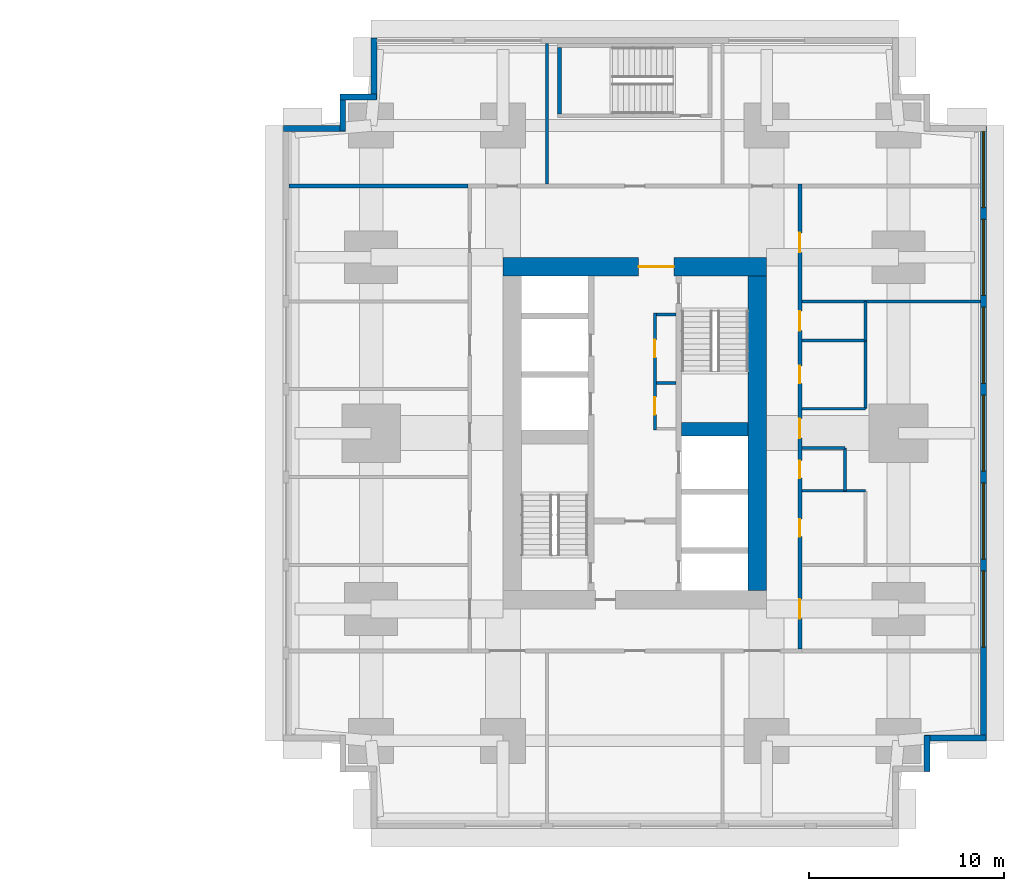
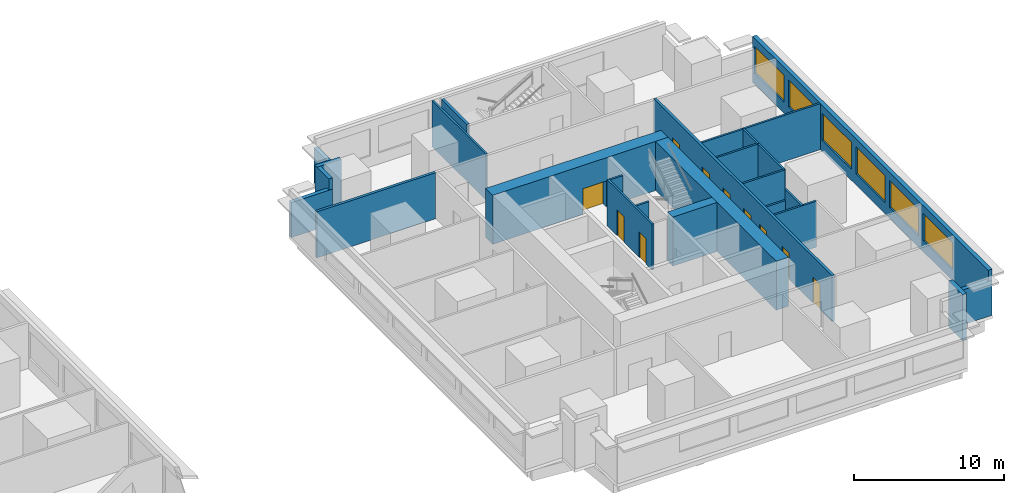
# One storey, part 7 of 11: 25 walls, 10 doors, 6 windows, 16 openings.
"""IFC4 building model written with IfcOpenShell, lengths in metres."""

from ifc_helpers import new_model, si_unit, direction, frame, frame_2d, origin, place, context, subcontext, project, spatial, rectangle, extrude, material, layer, layer_set, type_object, element, fill, save


model = new_model("IFC4")

# Units and contexts
model_context = context("Model", 3, precision=1e-05, world=origin(), true_north=direction((0.0, 1.0)))
body_context = subcontext(model_context, "Body", "Model", "MODEL_VIEW")
ifc_project = project(units=[si_unit("LENGTHUNIT", "METRE"), si_unit("AREAUNIT", "SQUARE_METRE"), si_unit("VOLUMEUNIT", "CUBIC_METRE"), si_unit("PLANEANGLEUNIT", "RADIAN"), si_unit("MASSUNIT", "GRAM", prefix="KILO")], contexts=[model_context])

# Site, building, storey
site_placement = place(None, origin())
site = spatial("IfcSite", under=ifc_project, at=site_placement, CompositionType="ELEMENT")
building_placement = place(site_placement, origin())
building = spatial("IfcBuilding", under=site, at=building_placement, Name="Namib Vertical Campus", CompositionType="ELEMENT")
storey_placement = place(building_placement, frame((0.0, 0.0, 29.0)))
storey = spatial("IfcBuildingStorey", under=building, at=storey_placement, Name="L06", CompositionType="ELEMENT", Elevation=29.0)

# Walls
ifc_material_1 = material(Name="Concrete C60/75", Category="concrete")
ifc_layer_1 = layer(ifc_material_1, 0.699951171875)
ifc_layer_set_1 = layer_set([ifc_layer_1], Name="Concrete C60/75")
wall_type_1 = type_object("IfcWallType", Name="Core shear wall 700", PredefinedType="SHEAR", material=ifc_layer_set_1)
wall_1_placement = place(storey_placement, frame((83.39990234375, 20.449951171875, 0.0), z_axis=(0.0, 0.0, 1.0), x_axis=(1.0, 0.0, 0.0)))
element("IfcWall", 1, at=wall_1_placement, inside=storey, type_object=wall_type_1, Name="Core shear wall B L06 W7", PredefinedType="SHEAR", context=body_context, shape_type="SweptSolid", body=[
    extrude(rectangle(XDim=3.400146484375, YDim=0.699951171875, at=frame_2d((1.7001953125, 0.0))), origin(), (0.0, 0.0, 1.0), 4.0),
])
ifc_material_2 = material(Name="Concrete C60/75", Category="concrete")
ifc_layer_2 = layer(ifc_material_2, 0.949951171875)
ifc_layer_set_2 = layer_set([ifc_layer_2], Name="Concrete C60/75")
wall_type_2 = type_object("IfcWallType", Name="Core wall 950", PredefinedType="SHEAR", material=ifc_layer_set_2)
wall_2_placement = place(storey_placement, frame((87.27490234375, 12.199951171875, 0.0), z_axis=(0.0, 0.0, 1.0), x_axis=(0.0, 1.0, 0.0)))
element("IfcWall", 2, at=wall_2_placement, inside=storey, type_object=wall_type_2, Name="Core wall B L06 2", PredefinedType="SHEAR", context=body_context, shape_type="SweptSolid", body=[
    extrude(rectangle(XDim=16.10009765625, YDim=0.949951171875, at=frame_2d((8.050048828125, 0.0))), origin(), (0.0, 0.0, 1.0), 4.0),
])

# Wall, opening, door
wall_3_placement = place(storey_placement, frame((87.75, 28.77490234375, 0.0), z_axis=(0.0, 0.0, 1.0), x_axis=(-1.0, 0.0, 0.0)))
wall_3 = element("IfcWall", 3, at=wall_3_placement, inside=storey, type_object=wall_type_2, Name="Core wall B L06 3", PredefinedType="SHEAR", context=body_context, shape_type="SweptSolid", body=[
    extrude(rectangle(XDim=13.5, YDim=0.949951171875, at=frame_2d((6.75, 0.0))), origin(), (0.0, 0.0, 1.0), 4.0),
])
opening_1_placement = place(wall_3_placement, frame((4.75, 0.0, 0.0)))
opening_1 = element("IfcOpeningElement", 4, at=opening_1_placement, cuts=wall_3, Name="Opening FD2", PredefinedType="OPENING", context=body_context, shape_type="SweptSolid", body=[
    extrude(rectangle(XDim=1.800048828125, YDim=2.10009765625, at=frame_2d((0.89990234375, 1.050048828125))), frame((0.0, 0.48486328125, 0.0), z_axis=(0.0, -1.0, 0.0), x_axis=(1.0, 0.0, 0.0)), (0.0, 0.0, 1.0), 0.969970703125),
])
ifc_material_3 = material(Name="Steel fire door", Category="steel")
door_type_1 = type_object("IfcDoorType", Name="Fire door double 1800x2100", OperationType="DOUBLE_DOOR_SINGLE_SWING", PredefinedType="DOOR", material=ifc_material_3)
door_1_placement = place(opening_1_placement, origin())
door_1 = element("IfcDoor", 5, at=door_1_placement, inside=storey, type_object=door_type_1, Name="Lift lobby door FD2 B L06", OperationType="DOUBLE_DOOR_SINGLE_SWING", OverallHeight=2.10009765625, OverallWidth=1.800048828125, PredefinedType="DOOR", context=body_context, shape_type="SweptSolid", body=[
    extrude(rectangle(XDim=1.800048828125, YDim=2.10009765625, at=frame_2d((0.89990234375, 1.050048828125))), frame((0.0, 0.02490234375, 0.0), z_axis=(0.0, -1.0, 0.0), x_axis=(1.0, 0.0, 0.0)), (0.0, 0.0, 1.0), 0.050048828125),
])
fill(opening_1, door_1)

# Wall, openings, doors
ifc_material_4 = material(Name="Concrete masonry", Category="masonry")
ifc_layer_3 = layer(ifc_material_4, 0.199951171875)
ifc_layer_set_3 = layer_set([ifc_layer_3], Name="Corridor wall 200")
wall_type_3 = type_object("IfcWallType", Name="Corridor wall 200", PredefinedType="SOLIDWALL", material=ifc_layer_set_3)
wall_4_placement = place(storey_placement, frame((89.449951171875, 9.199951171875, 0.0), z_axis=(0.0, 0.0, 1.0), x_axis=(0.0, 1.0, 0.0)))
wall_4 = element("IfcWall", 6, at=wall_4_placement, inside=storey, type_object=wall_type_3, Name="Corridor wall B L06 CE", PredefinedType="SOLIDWALL", context=body_context, shape_type="SweptSolid", body=[
    extrude(rectangle(XDim=23.800048828125, YDim=0.199951171875, at=frame_2d((11.89990234375, 0.0))), origin(), (0.0, 0.0, 1.0), 3.75),
])
opening_2_placement = place(wall_4_placement, frame((1.550048828125, 0.0, 0.0)))
opening_2 = element("IfcOpeningElement", 7, at=opening_2_placement, cuts=wall_4, Name="Opening CD1", PredefinedType="OPENING", context=body_context, shape_type="SweptSolid", body=[
    extrude(rectangle(XDim=1.0, YDim=2.10009765625, at=frame_2d((0.5, 1.050048828125))), frame((0.0, 0.10986328125, 0.0), z_axis=(0.0, -1.0, 0.0), x_axis=(1.0, 0.0, 0.0)), (0.0, 0.0, 1.0), 0.219970703125),
])
opening_3_placement = place(wall_4_placement, frame((5.75, 0.0, 0.0)))
opening_3 = element("IfcOpeningElement", 8, at=opening_3_placement, cuts=wall_4, Name="Opening CD3", PredefinedType="OPENING", context=body_context, shape_type="SweptSolid", body=[
    extrude(rectangle(XDim=0.89990234375, YDim=2.10009765625, at=frame_2d((0.449951171875, 1.050048828125))), frame((0.0, 0.10986328125, 0.0), z_axis=(0.0, -1.0, 0.0), x_axis=(1.0, 0.0, 0.0)), (0.0, 0.0, 1.0), 0.219970703125),
])
opening_4_placement = place(wall_4_placement, frame((8.75, 0.0, 0.0)))
opening_4 = element("IfcOpeningElement", 9, at=opening_4_placement, cuts=wall_4, Name="Opening CD3", PredefinedType="OPENING", context=body_context, shape_type="SweptSolid", body=[
    extrude(rectangle(XDim=0.89990234375, YDim=2.10009765625, at=frame_2d((0.449951171875, 1.050048828125))), frame((0.0, 0.10986328125, 0.0), z_axis=(0.0, -1.0, 0.0), x_axis=(1.0, 0.0, 0.0)), (0.0, 0.0, 1.0), 0.219970703125),
])
opening_5_placement = place(wall_4_placement, frame((13.60009765625, 0.0, 0.0)))
opening_5 = element("IfcOpeningElement", 10, at=opening_5_placement, cuts=wall_4, Name="Opening CD3", PredefinedType="OPENING", context=body_context, shape_type="SweptSolid", body=[
    extrude(rectangle(XDim=0.89990234375, YDim=2.10009765625, at=frame_2d((0.449951171875, 1.050048828125))), frame((0.0, 0.10986328125, 0.0), z_axis=(0.0, -1.0, 0.0), x_axis=(1.0, 0.0, 0.0)), (0.0, 0.0, 1.0), 0.219970703125),
])
opening_6_placement = place(wall_4_placement, frame((16.300048828125, 0.0, 0.0)))
opening_6 = element("IfcOpeningElement", 11, at=opening_6_placement, cuts=wall_4, Name="Opening CD1", PredefinedType="OPENING", context=body_context, shape_type="SweptSolid", body=[
    extrude(rectangle(XDim=1.0, YDim=2.10009765625, at=frame_2d((0.5, 1.050048828125))), frame((0.0, 0.10986328125, 0.0), z_axis=(0.0, -1.0, 0.0), x_axis=(1.0, 0.0, 0.0)), (0.0, 0.0, 1.0), 0.219970703125),
])
opening_7_placement = place(wall_4_placement, frame((10.800048828125, 0.0, 0.0)))
opening_7 = element("IfcOpeningElement", 12, at=opening_7_placement, cuts=wall_4, Name="Opening CD1", PredefinedType="OPENING", context=body_context, shape_type="SweptSolid", body=[
    extrude(rectangle(XDim=1.0, YDim=2.10009765625, at=frame_2d((0.5, 1.050048828125))), frame((0.0, 0.10986328125, 0.0), z_axis=(0.0, -1.0, 0.0), x_axis=(1.0, 0.0, 0.0)), (0.0, 0.0, 1.0), 0.219970703125),
])
opening_8_placement = place(wall_4_placement, frame((20.300048828125, 0.0, 0.0)))
opening_8 = element("IfcOpeningElement", 13, at=opening_8_placement, cuts=wall_4, Name="Opening CD1", PredefinedType="OPENING", context=body_context, shape_type="SweptSolid", body=[
    extrude(rectangle(XDim=1.0, YDim=2.10009765625, at=frame_2d((0.5, 1.050048828125))), frame((0.0, 0.10986328125, 0.0), z_axis=(0.0, -1.0, 0.0), x_axis=(1.0, 0.0, 0.0)), (0.0, 0.0, 1.0), 0.219970703125),
])
ifc_material_5 = material(Name="Timber fire door leaf", Category="wood")
door_type_2 = type_object("IfcDoorType", Name="Corridor door 1000x2100 20 min", OperationType="SINGLE_SWING_LEFT", PredefinedType="DOOR", material=ifc_material_5)
door_2_placement = place(opening_2_placement, frame((1.0, 0.0, 0.0), z_axis=(0.0, 0.0, 1.0), x_axis=(-1.0, 0.0, 0.0)))
door_2 = element("IfcDoor", 14, at=door_2_placement, inside=storey, type_object=door_type_2, Name="Door CD1 B06-04", OperationType="SINGLE_SWING_RIGHT", OverallHeight=2.10009765625, OverallWidth=1.0, PredefinedType="DOOR", context=body_context, shape_type="SweptSolid", body=[
    extrude(rectangle(XDim=1.0, YDim=2.10009765625, at=frame_2d((0.5, 1.050048828125))), frame((0.0, 0.02490234375, 0.0), z_axis=(0.0, -1.0, 0.0), x_axis=(1.0, 0.0, 0.0)), (0.0, 0.0, 1.0), 0.050048828125),
])
fill(opening_2, door_2)
door_3_placement = place(opening_6_placement, frame((1.0, 0.0, 0.0), z_axis=(0.0, 0.0, 1.0), x_axis=(-1.0, 0.0, 0.0)))
door_3 = element("IfcDoor", 15, at=door_3_placement, inside=storey, type_object=door_type_2, Name="Door CD1 B06-08", OperationType="SINGLE_SWING_RIGHT", OverallHeight=2.10009765625, OverallWidth=1.0, PredefinedType="DOOR", context=body_context, shape_type="SweptSolid", body=[
    extrude(rectangle(XDim=1.0, YDim=2.10009765625, at=frame_2d((0.5, 1.050048828125))), frame((0.0, 0.02490234375, 0.0), z_axis=(0.0, -1.0, 0.0), x_axis=(1.0, 0.0, 0.0)), (0.0, 0.0, 1.0), 0.050048828125),
])
fill(opening_6, door_3)
door_4_placement = place(opening_7_placement, frame((1.0, 0.0, 0.0), z_axis=(0.0, 0.0, 1.0), x_axis=(-1.0, 0.0, 0.0)))
door_4 = element("IfcDoor", 16, at=door_4_placement, inside=storey, type_object=door_type_2, Name="Door CD1 B06-09", OperationType="SINGLE_SWING_RIGHT", OverallHeight=2.10009765625, OverallWidth=1.0, PredefinedType="DOOR", context=body_context, shape_type="SweptSolid", body=[
    extrude(rectangle(XDim=1.0, YDim=2.10009765625, at=frame_2d((0.5, 1.050048828125))), frame((0.0, 0.02490234375, 0.0), z_axis=(0.0, -1.0, 0.0), x_axis=(1.0, 0.0, 0.0)), (0.0, 0.0, 1.0), 0.050048828125),
])
fill(opening_7, door_4)
door_5_placement = place(opening_8_placement, frame((1.0, 0.0, 0.0), z_axis=(0.0, 0.0, 1.0), x_axis=(-1.0, 0.0, 0.0)))
door_5 = element("IfcDoor", 17, at=door_5_placement, inside=storey, type_object=door_type_2, Name="Door CD1 B06-10", OperationType="SINGLE_SWING_RIGHT", OverallHeight=2.10009765625, OverallWidth=1.0, PredefinedType="DOOR", context=body_context, shape_type="SweptSolid", body=[
    extrude(rectangle(XDim=1.0, YDim=2.10009765625, at=frame_2d((0.5, 1.050048828125))), frame((0.0, 0.02490234375, 0.0), z_axis=(0.0, -1.0, 0.0), x_axis=(1.0, 0.0, 0.0)), (0.0, 0.0, 1.0), 0.050048828125),
])
fill(opening_8, door_5)
ifc_material_6 = material(Name="Timber fire door leaf", Category="wood")
door_type_3 = type_object("IfcDoorType", Name="Corridor toilet door 900x2100 20 min", OperationType="SINGLE_SWING_LEFT", PredefinedType="DOOR", material=ifc_material_6)
door_6_placement = place(opening_3_placement, frame((0.89990234375, 0.0, 0.0), z_axis=(0.0, 0.0, 1.0), x_axis=(-1.0, 0.0, 0.0)))
door_6 = element("IfcDoor", 18, at=door_6_placement, inside=storey, type_object=door_type_3, Name="Door CD3 B06-05", OperationType="SINGLE_SWING_RIGHT", OverallHeight=2.10009765625, OverallWidth=0.89990234375, PredefinedType="DOOR", context=body_context, shape_type="SweptSolid", body=[
    extrude(rectangle(XDim=0.89990234375, YDim=2.10009765625, at=frame_2d((0.449951171875, 1.050048828125))), frame((0.0, 0.02490234375, 0.0), z_axis=(0.0, -1.0, 0.0), x_axis=(1.0, 0.0, 0.0)), (0.0, 0.0, 1.0), 0.050048828125),
])
fill(opening_3, door_6)
door_7_placement = place(opening_4_placement, frame((0.89990234375, 0.0, 0.0), z_axis=(0.0, 0.0, 1.0), x_axis=(-1.0, 0.0, 0.0)))
door_7 = element("IfcDoor", 19, at=door_7_placement, inside=storey, type_object=door_type_3, Name="Door CD3 B06-06", OperationType="SINGLE_SWING_RIGHT", OverallHeight=2.10009765625, OverallWidth=0.89990234375, PredefinedType="DOOR", context=body_context, shape_type="SweptSolid", body=[
    extrude(rectangle(XDim=0.89990234375, YDim=2.10009765625, at=frame_2d((0.449951171875, 1.050048828125))), frame((0.0, 0.02490234375, 0.0), z_axis=(0.0, -1.0, 0.0), x_axis=(1.0, 0.0, 0.0)), (0.0, 0.0, 1.0), 0.050048828125),
])
fill(opening_4, door_7)
door_8_placement = place(opening_5_placement, frame((0.89990234375, 0.0, 0.0), z_axis=(0.0, 0.0, 1.0), x_axis=(-1.0, 0.0, 0.0)))
door_8 = element("IfcDoor", 20, at=door_8_placement, inside=storey, type_object=door_type_3, Name="Door CD3 B06-07", OperationType="SINGLE_SWING_RIGHT", OverallHeight=2.10009765625, OverallWidth=0.89990234375, PredefinedType="DOOR", context=body_context, shape_type="SweptSolid", body=[
    extrude(rectangle(XDim=0.89990234375, YDim=2.10009765625, at=frame_2d((0.449951171875, 1.050048828125))), frame((0.0, 0.02490234375, 0.0), z_axis=(0.0, -1.0, 0.0), x_axis=(1.0, 0.0, 0.0)), (0.0, 0.0, 1.0), 0.050048828125),
])
fill(opening_5, door_8)

# Walls
wall_5_placement = place(storey_placement, frame((63.300048828125, 32.89990234375, 0.0), z_axis=(0.0, 0.0, 1.0), x_axis=(1.0, 0.0, 0.0)))
element("IfcWall", 21, at=wall_5_placement, inside=storey, type_object=wall_type_3, Name="Partition B L06 BNW", PredefinedType="SOLIDWALL", context=body_context, shape_type="SweptSolid", body=[
    extrude(rectangle(XDim=9.14990234375, YDim=0.199951171875, at=frame_2d((4.574951171875, 0.0))), origin(), (0.0, 0.0, 1.0), 3.75),
])
ifc_material_7 = material(Name="Concrete C40/50", Category="concrete")
ifc_layer_4 = layer(ifc_material_7, 0.300048828125)
ifc_layer_set_4 = layer_set([ifc_layer_4], Name="Concrete C40/50")
wall_type_4 = type_object("IfcWallType", Name="External wall 300 board-marked concrete", PredefinedType="STANDARD", material=ifc_layer_set_4)
wall_6_placement = place(storey_placement, frame((95.949951171875, 2.919921875, 0.0), z_axis=(0.0, 0.0, 1.0), x_axis=(0.0, 1.0, 0.0)))
element("IfcWall", 22, at=wall_6_placement, inside=storey, type_object=wall_type_4, Name="External wall L06 F04", PredefinedType="STANDARD", context=body_context, shape_type="SweptSolid", body=[
    extrude(rectangle(XDim=1.860107421875, YDim=0.300048828125, at=frame_2d((0.93017578125, 0.0))), origin(), (0.0, 0.0, 1.0), 3.75),
])
wall_7_placement = place(storey_placement, frame((95.820068359375, 4.64990234375, 0.0), z_axis=(0.0, 0.0, 1.0), x_axis=(1.0, 0.0, 0.0)))
element("IfcWall", 23, at=wall_7_placement, inside=storey, type_object=wall_type_4, Name="External wall L06 F05", PredefinedType="STANDARD", context=body_context, shape_type="SweptSolid", body=[
    extrude(rectangle(XDim=3.159912109375, YDim=0.300048828125, at=frame_2d((1.580078125, 0.0))), origin(), (0.0, 0.0, 1.0), 2.85009765625),
])

# Wall, openings, windows
wall_8_placement = place(storey_placement, frame((98.85009765625, 4.52001953125, 0.0), z_axis=(0.0, 0.0, 1.0), x_axis=(0.0, 1.0, 0.0)))
wall_8 = element("IfcWall", 24, at=wall_8_placement, inside=storey, type_object=wall_type_4, Name="External wall L06 F06", PredefinedType="STANDARD", context=body_context, shape_type="SweptSolid", body=[
    extrude(rectangle(XDim=31.4599609375, YDim=0.300048828125, at=frame_2d((15.72998046875, 0.0))), origin(), (0.0, 0.0, 1.0), 3.75),
])
opening_9_placement = place(wall_8_placement, frame((4.780029296875, 0.0, 0.89990234375)))
opening_9 = element("IfcOpeningElement", 25, at=opening_9_placement, cuts=wall_8, Name="Opening W1", PredefinedType="OPENING", context=body_context, shape_type="SweptSolid", body=[
    extrude(rectangle(XDim=3.89990234375, YDim=2.199951171875, at=frame_2d((1.949951171875, 1.10009765625))), frame((0.0, 0.159912109375, 0.0), z_axis=(0.0, -1.0, 0.0), x_axis=(1.0, 0.0, 0.0)), (0.0, 0.0, 1.0), 0.320068359375),
])
opening_10_placement = place(wall_8_placement, frame((9.280029296875, 0.0, 0.89990234375)))
opening_10 = element("IfcOpeningElement", 26, at=opening_10_placement, cuts=wall_8, Name="Opening W1", PredefinedType="OPENING", context=body_context, shape_type="SweptSolid", body=[
    extrude(rectangle(XDim=3.89990234375, YDim=2.199951171875, at=frame_2d((1.949951171875, 1.10009765625))), frame((0.0, 0.159912109375, 0.0), z_axis=(0.0, -1.0, 0.0), x_axis=(1.0, 0.0, 0.0)), (0.0, 0.0, 1.0), 0.320068359375),
])
opening_11_placement = place(wall_8_placement, frame((13.780029296875, 0.0, 0.89990234375)))
opening_11 = element("IfcOpeningElement", 27, at=opening_11_placement, cuts=wall_8, Name="Opening W1", PredefinedType="OPENING", context=body_context, shape_type="SweptSolid", body=[
    extrude(rectangle(XDim=3.89990234375, YDim=2.199951171875, at=frame_2d((1.949951171875, 1.10009765625))), frame((0.0, 0.159912109375, 0.0), z_axis=(0.0, -1.0, 0.0), x_axis=(1.0, 0.0, 0.0)), (0.0, 0.0, 1.0), 0.320068359375),
])
opening_12_placement = place(wall_8_placement, frame((18.280029296875, 0.0, 0.89990234375)))
opening_12 = element("IfcOpeningElement", 28, at=opening_12_placement, cuts=wall_8, Name="Opening W1", PredefinedType="OPENING", context=body_context, shape_type="SweptSolid", body=[
    extrude(rectangle(XDim=3.89990234375, YDim=2.199951171875, at=frame_2d((1.949951171875, 1.10009765625))), frame((0.0, 0.159912109375, 0.0), z_axis=(0.0, -1.0, 0.0), x_axis=(1.0, 0.0, 0.0)), (0.0, 0.0, 1.0), 0.320068359375),
])
opening_13_placement = place(wall_8_placement, frame((22.780029296875, 0.0, 0.89990234375)))
opening_13 = element("IfcOpeningElement", 29, at=opening_13_placement, cuts=wall_8, Name="Opening W1", PredefinedType="OPENING", context=body_context, shape_type="SweptSolid", body=[
    extrude(rectangle(XDim=3.89990234375, YDim=2.199951171875, at=frame_2d((1.949951171875, 1.10009765625))), frame((0.0, 0.159912109375, 0.0), z_axis=(0.0, -1.0, 0.0), x_axis=(1.0, 0.0, 0.0)), (0.0, 0.0, 1.0), 0.320068359375),
])
opening_14_placement = place(wall_8_placement, frame((27.280029296875, 0.0, 0.89990234375)))
opening_14 = element("IfcOpeningElement", 30, at=opening_14_placement, cuts=wall_8, Name="Opening W1", PredefinedType="OPENING", context=body_context, shape_type="SweptSolid", body=[
    extrude(rectangle(XDim=3.89990234375, YDim=2.199951171875, at=frame_2d((1.949951171875, 1.10009765625))), frame((0.0, 0.159912109375, 0.0), z_axis=(0.0, -1.0, 0.0), x_axis=(1.0, 0.0, 0.0)), (0.0, 0.0, 1.0), 0.320068359375),
])
ifc_material_8 = material(Name="Dark tinted glass in black aluminium frame", Category="aluminium")
window_type = type_object("IfcWindowType", Name="Ribbon window 3900x2200", PartitioningType="SINGLE_PANEL", PredefinedType="WINDOW", material=ifc_material_8)
window_1_placement = place(opening_9_placement, origin())
window_1 = element("IfcWindow", 31, at=window_1_placement, inside=storey, type_object=window_type, Name="Window W1 L06 F06-2", OverallHeight=2.199951171875, OverallWidth=3.89990234375, PartitioningType="SINGLE_PANEL", PredefinedType="WINDOW", context=body_context, shape_type="SweptSolid", body=[
    extrude(rectangle(XDim=3.89990234375, YDim=2.199951171875, at=frame_2d((1.949951171875, 1.10009765625))), frame((0.0, 0.030029296875, 0.0), z_axis=(0.0, -1.0, 0.0), x_axis=(1.0, 0.0, 0.0)), (0.0, 0.0, 1.0), 0.06005859375),
])
fill(opening_9, window_1)
window_2_placement = place(opening_10_placement, origin())
window_2 = element("IfcWindow", 32, at=window_2_placement, inside=storey, type_object=window_type, Name="Window W1 L06 F06-3", OverallHeight=2.199951171875, OverallWidth=3.89990234375, PartitioningType="SINGLE_PANEL", PredefinedType="WINDOW", context=body_context, shape_type="SweptSolid", body=[
    extrude(rectangle(XDim=3.89990234375, YDim=2.199951171875, at=frame_2d((1.949951171875, 1.10009765625))), frame((0.0, 0.030029296875, 0.0), z_axis=(0.0, -1.0, 0.0), x_axis=(1.0, 0.0, 0.0)), (0.0, 0.0, 1.0), 0.06005859375),
])
fill(opening_10, window_2)
window_3_placement = place(opening_11_placement, origin())
window_3 = element("IfcWindow", 33, at=window_3_placement, inside=storey, type_object=window_type, Name="Window W1 L06 F06-4", OverallHeight=2.199951171875, OverallWidth=3.89990234375, PartitioningType="SINGLE_PANEL", PredefinedType="WINDOW", context=body_context, shape_type="SweptSolid", body=[
    extrude(rectangle(XDim=3.89990234375, YDim=2.199951171875, at=frame_2d((1.949951171875, 1.10009765625))), frame((0.0, 0.030029296875, 0.0), z_axis=(0.0, -1.0, 0.0), x_axis=(1.0, 0.0, 0.0)), (0.0, 0.0, 1.0), 0.06005859375),
])
fill(opening_11, window_3)
window_4_placement = place(opening_12_placement, origin())
window_4 = element("IfcWindow", 34, at=window_4_placement, inside=storey, type_object=window_type, Name="Window W1 L06 F06-5", OverallHeight=2.199951171875, OverallWidth=3.89990234375, PartitioningType="SINGLE_PANEL", PredefinedType="WINDOW", context=body_context, shape_type="SweptSolid", body=[
    extrude(rectangle(XDim=3.89990234375, YDim=2.199951171875, at=frame_2d((1.949951171875, 1.10009765625))), frame((0.0, 0.030029296875, 0.0), z_axis=(0.0, -1.0, 0.0), x_axis=(1.0, 0.0, 0.0)), (0.0, 0.0, 1.0), 0.06005859375),
])
fill(opening_12, window_4)
window_5_placement = place(opening_13_placement, origin())
window_5 = element("IfcWindow", 35, at=window_5_placement, inside=storey, type_object=window_type, Name="Window W1 L06 F06-6", OverallHeight=2.199951171875, OverallWidth=3.89990234375, PartitioningType="SINGLE_PANEL", PredefinedType="WINDOW", context=body_context, shape_type="SweptSolid", body=[
    extrude(rectangle(XDim=3.89990234375, YDim=2.199951171875, at=frame_2d((1.949951171875, 1.10009765625))), frame((0.0, 0.030029296875, 0.0), z_axis=(0.0, -1.0, 0.0), x_axis=(1.0, 0.0, 0.0)), (0.0, 0.0, 1.0), 0.06005859375),
])
fill(opening_13, window_5)
window_6_placement = place(opening_14_placement, origin())
window_6 = element("IfcWindow", 36, at=window_6_placement, inside=storey, type_object=window_type, Name="Window W1 L06 F06-7", OverallHeight=2.199951171875, OverallWidth=3.89990234375, PartitioningType="SINGLE_PANEL", PredefinedType="WINDOW", context=body_context, shape_type="SweptSolid", body=[
    extrude(rectangle(XDim=3.89990234375, YDim=2.199951171875, at=frame_2d((1.949951171875, 1.10009765625))), frame((0.0, 0.030029296875, 0.0), z_axis=(0.0, -1.0, 0.0), x_axis=(1.0, 0.0, 0.0)), (0.0, 0.0, 1.0), 0.06005859375),
])
fill(opening_14, window_6)

# Walls
wall_9_placement = place(storey_placement, frame((67.64990234375, 40.47998046875, 0.0), z_axis=(0.0, 0.0, 1.0), x_axis=(0.0, -1.0, 0.0)))
element("IfcWall", 37, at=wall_9_placement, inside=storey, type_object=wall_type_4, Name="External wall L06 F12", PredefinedType="STANDARD", context=body_context, shape_type="SweptSolid", body=[
    extrude(rectangle(XDim=3.159912109375, YDim=0.300048828125, at=frame_2d((1.580078125, 0.0))), origin(), (0.0, 0.0, 1.0), 2.85009765625),
])
for number, where, z_axis, x_axis, name in (
    (38, (67.780029296875, 37.449951171875, 0.0), (0.0, 0.0, 1.0), (-1.0, 0.0, 0.0), "External wall L06 F13"),
    (39, (66.050048828125, 37.580078125, 0.0), (0.0, 0.0, 1.0), (0.0, -1.0, 0.0), "External wall L06 F14"),
):
    element("IfcWall", number, at=place(storey_placement, frame(where, z_axis=z_axis, x_axis=x_axis)), inside=storey, type_object=wall_type_4, Name=name, PredefinedType="STANDARD", context=body_context, shape_type="SweptSolid", body=[
        extrude(rectangle(XDim=1.860107421875, YDim=0.300048828125, at=frame_2d((0.93017578125, 0.0))), origin(), (0.0, 0.0, 1.0), 3.75),
    ])
wall_10_placement = place(storey_placement, frame((66.179931640625, 35.85009765625, 0.0), z_axis=(0.0, 0.0, 1.0), x_axis=(-1.0, 0.0, 0.0)))
element("IfcWall", 40, at=wall_10_placement, inside=storey, type_object=wall_type_4, Name="External wall L06 F15", PredefinedType="STANDARD", context=body_context, shape_type="SweptSolid", body=[
    extrude(rectangle(XDim=3.159912109375, YDim=0.300048828125, at=frame_2d((1.580078125, 0.0))), origin(), (0.0, 0.0, 1.0), 2.85009765625),
])

# Wall, openings, doors
ifc_material_9 = material(Name="Gypsum board on steel studs", Category="steel")
ifc_layer_5 = layer(ifc_material_9, 0.14990234375)
ifc_layer_set_5 = layer_set([ifc_layer_5], Name="Gypsum board on steel studs")
wall_type_5 = type_object("IfcWallType", Name="Partition 150", PredefinedType="PARTITIONING", material=ifc_layer_set_5)
wall_11_placement = place(storey_placement, frame((82.02490234375, 20.39990234375, 0.0), z_axis=(0.0, 0.0, 1.0), x_axis=(0.0, 1.0, 0.0)))
wall_11 = element("IfcWall", 41, at=wall_11_placement, inside=storey, type_object=wall_type_5, Name="Partition B L06 Cleaners' store and Tea point front", PredefinedType="PARTITIONING", context=body_context, shape_type="SweptSolid", body=[
    extrude(rectangle(XDim=6.0, YDim=0.14990234375, at=frame_2d((3.0, 0.0))), origin(), (0.0, 0.0, 1.0), 3.75),
])
opening_15_placement = place(wall_11_placement, frame((0.800048828125, 0.0, 0.0)))
opening_15 = element("IfcOpeningElement", 42, at=opening_15_placement, cuts=wall_11, Name="Opening D3", PredefinedType="OPENING", context=body_context, shape_type="SweptSolid", body=[
    extrude(rectangle(XDim=0.89990234375, YDim=2.10009765625, at=frame_2d((0.449951171875, 1.050048828125))), frame((0.0, 0.0849609375, 0.0), z_axis=(0.0, -1.0, 0.0), x_axis=(1.0, 0.0, 0.0)), (0.0, 0.0, 1.0), 0.169921875),
])
opening_16_placement = place(wall_11_placement, frame((3.72509765625, 0.0, 0.0)))
opening_16 = element("IfcOpeningElement", 43, at=opening_16_placement, cuts=wall_11, Name="Opening D3", PredefinedType="OPENING", context=body_context, shape_type="SweptSolid", body=[
    extrude(rectangle(XDim=0.89990234375, YDim=2.10009765625, at=frame_2d((0.449951171875, 1.050048828125))), frame((0.0, 0.0849609375, 0.0), z_axis=(0.0, -1.0, 0.0), x_axis=(1.0, 0.0, 0.0)), (0.0, 0.0, 1.0), 0.169921875),
])
ifc_material_10 = material(Name="Timber door leaf", Category="wood")
door_type_4 = type_object("IfcDoorType", Name="Toilet door 900x2100", OperationType="SINGLE_SWING_LEFT", PredefinedType="DOOR", material=ifc_material_10)
door_9_placement = place(opening_15_placement, frame((0.89990234375, 0.0, 0.0), z_axis=(0.0, 0.0, 1.0), x_axis=(-1.0, 0.0, 0.0)))
door_9 = element("IfcDoor", 44, at=door_9_placement, inside=storey, type_object=door_type_4, Name="Door D3 Cleaners' store B L06", OperationType="SINGLE_SWING_RIGHT", OverallHeight=2.10009765625, OverallWidth=0.89990234375, PredefinedType="DOOR", context=body_context, shape_type="SweptSolid", body=[
    extrude(rectangle(XDim=0.89990234375, YDim=2.10009765625, at=frame_2d((0.449951171875, 1.050048828125))), frame((0.0, 0.02490234375, 0.0), z_axis=(0.0, -1.0, 0.0), x_axis=(1.0, 0.0, 0.0)), (0.0, 0.0, 1.0), 0.050048828125),
])
fill(opening_15, door_9)
door_10_placement = place(opening_16_placement, frame((0.89990234375, 0.0, 0.0), z_axis=(0.0, 0.0, 1.0), x_axis=(-1.0, 0.0, 0.0)))
door_10 = element("IfcDoor", 45, at=door_10_placement, inside=storey, type_object=door_type_4, Name="Door D3 Tea point B L06", OperationType="SINGLE_SWING_RIGHT", OverallHeight=2.10009765625, OverallWidth=0.89990234375, PredefinedType="DOOR", context=body_context, shape_type="SweptSolid", body=[
    extrude(rectangle(XDim=0.89990234375, YDim=2.10009765625, at=frame_2d((0.449951171875, 1.050048828125))), frame((0.0, 0.02490234375, 0.0), z_axis=(0.0, -1.0, 0.0), x_axis=(1.0, 0.0, 0.0)), (0.0, 0.0, 1.0), 0.050048828125),
])
fill(opening_16, door_10)

# Walls
for number, where, z_axis, x_axis, name in (
    (46, (82.10009765625, 22.824951171875, 0.0), (0.0, 0.0, 1.0), (1.0, 0.0, 0.0), "Partition B L06 Cleaners' store and Tea point division 2"),
    (47, (82.10009765625, 26.324951171875, 0.0), (0.0, 0.0, 1.0), (1.0, 0.0, 0.0), "Partition B L06 Cleaners' store and Tea point end 3"),
):
    element("IfcWall", number, at=place(storey_placement, frame(where, z_axis=z_axis, x_axis=x_axis)), inside=storey, type_object=wall_type_5, Name=name, PredefinedType="PARTITIONING", context=body_context, shape_type="SweptSolid", body=[
        extrude(rectangle(XDim=1.0, YDim=0.14990234375, at=frame_2d((0.5, 0.0))), origin(), (0.0, 0.0, 1.0), 3.75),
    ])
wall_12_placement = place(storey_placement, frame((76.5, 33.0, 0.0), z_axis=(0.0, 0.0, 1.0), x_axis=(0.0, 1.0, 0.0)))
element("IfcWall", 48, at=wall_12_placement, inside=storey, type_object=wall_type_5, Name="Partition B L06 PN1", PredefinedType="PARTITIONING", context=body_context, shape_type="SweptSolid", body=[
    extrude(rectangle(XDim=7.199951171875, YDim=0.14990234375, at=frame_2d((3.60009765625, 0.0))), origin(), (0.0, 0.0, 1.0), 3.75),
])
wall_13_placement = place(storey_placement, frame((89.550048828125, 27.0, 0.0), z_axis=(0.0, 0.0, 1.0), x_axis=(1.0, 0.0, 0.0)))
element("IfcWall", 49, at=wall_13_placement, inside=storey, type_object=wall_type_5, Name="Partition B L06 PE2", PredefinedType="PARTITIONING", context=body_context, shape_type="SweptSolid", body=[
    extrude(rectangle(XDim=9.14990234375, YDim=0.14990234375, at=frame_2d((4.574951171875, 0.0))), origin(), (0.0, 0.0, 1.0), 3.75),
])
wall_14_placement = place(storey_placement, frame((89.550048828125, 17.300048828125, 0.0), z_axis=(0.0, 0.0, 1.0), x_axis=(1.0, 0.0, 0.0)))
element("IfcWall", 50, at=wall_14_placement, inside=storey, type_object=wall_type_5, Name="Partition B L06 WR1", PredefinedType="PARTITIONING", context=body_context, shape_type="SweptSolid", body=[
    extrude(rectangle(XDim=3.25, YDim=0.14990234375, at=frame_2d((1.625, 0.0))), origin(), (0.0, 0.0, 1.0), 3.75),
])
wall_15_placement = place(storey_placement, frame((89.550048828125, 19.5, 0.0), z_axis=(0.0, 0.0, 1.0), x_axis=(1.0, 0.0, 0.0)))
element("IfcWall", 51, at=wall_15_placement, inside=storey, type_object=wall_type_5, Name="Partition B L06 WR2", PredefinedType="PARTITIONING", context=body_context, shape_type="SweptSolid", body=[
    extrude(rectangle(XDim=2.199951171875, YDim=0.14990234375, at=frame_2d((1.10009765625, 0.0))), origin(), (0.0, 0.0, 1.0), 2.85009765625),
])
for number, where, z_axis, x_axis, name in (
    (52, (89.550048828125, 21.5, 0.0), (0.0, 0.0, 1.0), (1.0, 0.0, 0.0), "Partition B L06 WR3"),
    (53, (89.550048828125, 25.0, 0.0), (0.0, 0.0, 1.0), (1.0, 0.0, 0.0), "Partition B L06 WR4"),
):
    element("IfcWall", number, at=place(storey_placement, frame(where, z_axis=z_axis, x_axis=x_axis)), inside=storey, type_object=wall_type_5, Name=name, PredefinedType="PARTITIONING", context=body_context, shape_type="SweptSolid", body=[
        extrude(rectangle(XDim=3.25, YDim=0.14990234375, at=frame_2d((1.625, 0.0))), origin(), (0.0, 0.0, 1.0), 3.75),
    ])
wall_16_placement = place(storey_placement, frame((91.75, 17.300048828125, 0.0), z_axis=(0.0, 0.0, 1.0), x_axis=(0.0, 1.0, 0.0)))
element("IfcWall", 54, at=wall_16_placement, inside=storey, type_object=wall_type_5, Name="Partition B L06 WB2", PredefinedType="PARTITIONING", context=body_context, shape_type="SweptSolid", body=[
    extrude(rectangle(XDim=2.199951171875, YDim=0.14990234375, at=frame_2d((1.10009765625, 0.0))), origin(), (0.0, 0.0, 1.0), 3.75),
])
wall_17_placement = place(storey_placement, frame((92.800048828125, 21.5, 0.0), z_axis=(0.0, 0.0, 1.0), x_axis=(0.0, 1.0, 0.0)))
element("IfcWall", 55, at=wall_17_placement, inside=storey, type_object=wall_type_5, Name="Partition B L06 WB3", PredefinedType="PARTITIONING", context=body_context, shape_type="SweptSolid", body=[
    extrude(rectangle(XDim=3.5, YDim=0.14990234375, at=frame_2d((1.75, 0.0))), origin(), (0.0, 0.0, 1.0), 3.75),
])
wall_18_placement = place(storey_placement, frame((92.800048828125, 25.0, 0.0), z_axis=(0.0, 0.0, 1.0), x_axis=(0.0, 1.0, 0.0)))
element("IfcWall", 56, at=wall_18_placement, inside=storey, type_object=wall_type_5, Name="Partition B L06 WB4", PredefinedType="PARTITIONING", context=body_context, shape_type="SweptSolid", body=[
    extrude(rectangle(XDim=2.0, YDim=0.14990234375, at=frame_2d((1.0, 0.0))), origin(), (0.0, 0.0, 1.0), 3.75),
])
ifc_material_11 = material(Name="Concrete C40/50", Category="concrete")
ifc_layer_6 = layer(ifc_material_11, 0.199951171875)
ifc_layer_set_6 = layer_set([ifc_layer_6], Name="Concrete C40/50")
wall_type_6 = type_object("IfcWallType", Name="Stair enclosure wall RC 200", PredefinedType="SOLIDWALL", material=ifc_layer_set_6)
wall_19_placement = place(storey_placement, frame((77.14990234375, 36.60009765625, 0.0), z_axis=(0.0, 0.0, 1.0), x_axis=(0.0, 1.0, 0.0)))
element("IfcWall", 57, at=wall_19_placement, inside=storey, type_object=wall_type_6, Name="Stair enclosure wall B-S3 L06 W", PredefinedType="SOLIDWALL", context=body_context, shape_type="SweptSolid", body=[
    extrude(rectangle(XDim=3.39990234375, YDim=0.199951171875, at=frame_2d((1.699951171875, 0.0))), origin(), (0.0, 0.0, 1.0), 3.75),
])

save(model, "model.ifc")
